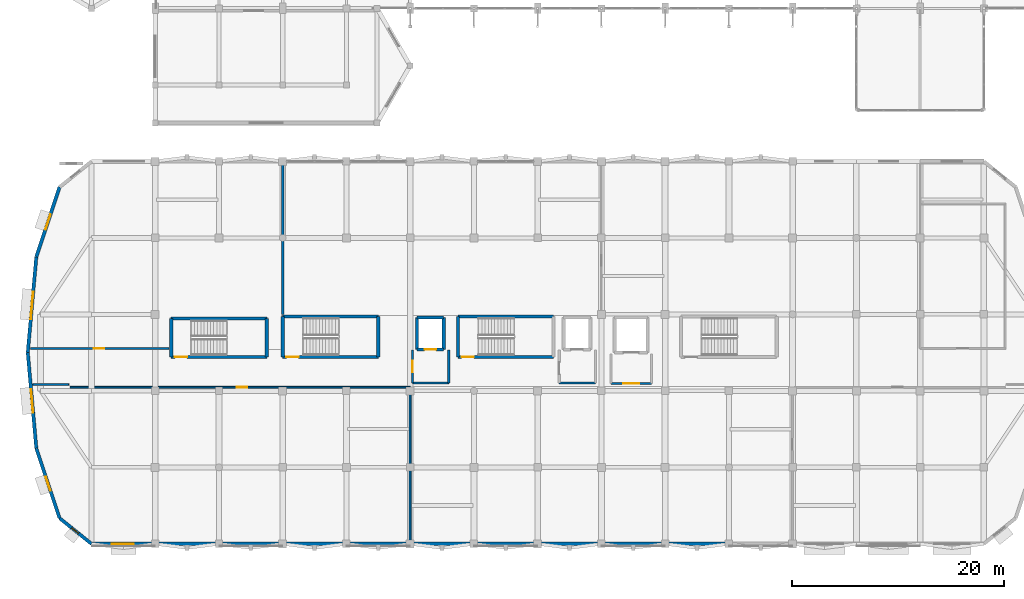
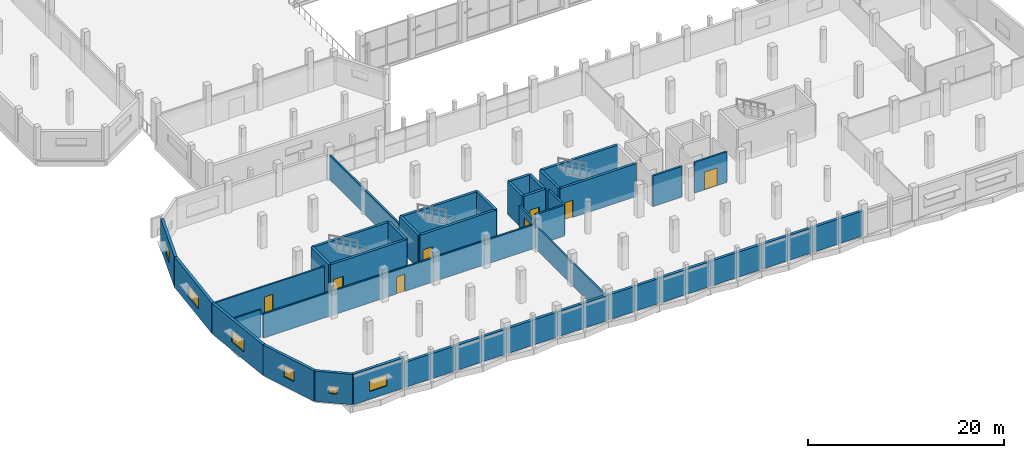
# One storey, part 105 of 127: 40 walls, 8 doors, 6 windows, 14 openings.
"""IFC4 building model written with IfcOpenShell, lengths in metres."""

from ifc_helpers import new_model, si_unit, direction, frame, frame_2d, origin, place, context, subcontext, project, spatial, rectangle, extrude, material, layer, layer_set, type_object, element, fill, save


model = new_model("IFC4")

# Units and contexts
model_context = context("Model", 3, precision=1e-05, world=origin(), true_north=direction((0.0, 1.0)))
body_context = subcontext(model_context, "Body", "Model", "MODEL_VIEW")
ifc_project = project(units=[si_unit("LENGTHUNIT", "METRE"), si_unit("AREAUNIT", "SQUARE_METRE"), si_unit("VOLUMEUNIT", "CUBIC_METRE"), si_unit("PLANEANGLEUNIT", "RADIAN"), si_unit("MASSUNIT", "GRAM", prefix="KILO")], contexts=[model_context])

# Site, building, storey
site_placement = place(None, origin())
site = spatial("IfcSite", under=ifc_project, at=site_placement, CompositionType="ELEMENT")
building_placement = place(site_placement, origin())
building = spatial("IfcBuilding", under=site, at=building_placement, Name="Dunvalen Ferry Terminal", CompositionType="ELEMENT")
storey_placement = place(building_placement, frame((0.0, 0.0, 5.760009765625)))
storey = spatial("IfcBuildingStorey", under=building, at=storey_placement, Name="L01", CompositionType="ELEMENT", Elevation=5.760009765625)

# Wall, opening, window
ifc_material_1 = material(Name="Precast concrete C40/50", Category="concrete")
ifc_layer_1 = layer(ifc_material_1, 0.320068359375, Name="Precast concrete C40/50")
ifc_layer_set_1 = layer_set([ifc_layer_1], Name="Precast concrete C40/50")
wall_type_1 = type_object("IfcWallType", Name="ENV-WL-SPN320", PredefinedType="SOLIDWALL", material=ifc_layer_set_1)
wall_1_placement = place(storey_placement, frame((6.0, 0.0, 0.0), z_axis=(0.0, 0.0, 1.0), x_axis=(1.0, 0.0, 0.0)))
wall_1 = element("IfcWall", 1, at=wall_1_placement, inside=storey, type_object=wall_type_1, Name="L01 Streamline Moderne Facade Wall 01.01", PredefinedType="SOLIDWALL", context=body_context, shape_type="SweptSolid", body=[
    extrude(rectangle(XDim=6.0, YDim=0.320068359375, at=frame_2d((3.0, 0.0))), origin(), (0.0, 0.0, 1.0), 3.780029296875),
])
opening_1_placement = place(wall_1_placement, frame((1.9248046875, 0.0, 0.949951171875)))
opening_1 = element("IfcOpeningElement", 2, at=opening_1_placement, cuts=wall_1, Name="Opening W-40", PredefinedType="OPENING", context=body_context, shape_type="SweptSolid", body=[
    extrude(rectangle(XDim=2.050048828125, YDim=1.39990234375, at=frame_2d((1.02490234375, 0.699951171875))), frame((0.0, 0.169921875, 0.0), z_axis=(0.0, -1.0, 0.0), x_axis=(1.0, 0.0, 0.0)), (0.0, 0.0, 1.0), 0.340087890625),
])
ifc_material_2 = material(Name="Thermally broken aluminium and double glazing", Category="aluminium")
window_type_1 = type_object("IfcWindowType", Name="ENV-WIN-RIB-40", PartitioningType="SINGLE_PANEL", PredefinedType="WINDOW", material=ifc_material_2)
window_1_placement = place(opening_1_placement, origin())
window_1 = element("IfcWindow", 3, at=window_1_placement, inside=storey, type_object=window_type_1, Name="L01 Streamline Ribbon Window 01.01", OverallHeight=1.39990234375, OverallWidth=2.050048828125, PartitioningType="SINGLE_PANEL", PredefinedType="WINDOW", context=body_context, shape_type="SweptSolid", body=[
    extrude(rectangle(XDim=2.050048828125, YDim=1.39990234375, at=frame_2d((1.02490234375, 0.699951171875))), frame((0.0, 0.030029296875, 0.0), z_axis=(0.0, -1.0, 0.0), x_axis=(1.0, 0.0, 0.0)), (0.0, 0.0, 1.0), 0.06005859375),
])
fill(opening_1, window_1)

# Walls
for number, where, z_axis, x_axis, name in (
    (4, (12.0, 0.0, 0.0), (0.0, 0.0, 1.0), (1.0, 0.0, 0.0), "L01 Streamline Moderne Facade Wall 01.02"),
    (5, (18.0, 0.0, 0.0), (0.0, 0.0, 1.0), (1.0, 0.0, 0.0), "L01 Streamline Moderne Facade Wall 01.03"),
    (6, (24.0, 0.0, 0.0), (0.0, 0.0, 1.0), (1.0, 0.0, 0.0), "L01 Streamline Moderne Facade Wall 01.04"),
    (7, (30.0, 0.0, 0.0), (0.0, 0.0, 1.0), (1.0, 0.0, 0.0), "L01 Streamline Moderne Facade Wall 01.05"),
    (8, (36.0, 0.0, 0.0), (0.0, 0.0, 1.0), (1.0, 0.0, 0.0), "L01 Streamline Moderne Facade Wall 01.06"),
    (9, (42.0, 0.0, 0.0), (0.0, 0.0, 1.0), (1.0, 0.0, 0.0), "L01 Streamline Moderne Facade Wall 01.07"),
    (10, (48.0, 0.0, 0.0), (0.0, 0.0, 1.0), (1.0, 0.0, 0.0), "L01 Streamline Moderne Facade Wall 01.08"),
    (11, (54.0, 0.0, 0.0), (0.0, 0.0, 1.0), (1.0, 0.0, 0.0), "L01 Streamline Moderne Facade Wall 01.09"),
    (12, (60.0, 0.0, 0.0), (0.0, 0.0, 1.0), (1.0, 0.0, 0.0), "L01 Streamline Moderne Facade Wall 01.10"),
):
    element("IfcWall", number, at=place(storey_placement, frame(where, z_axis=z_axis, x_axis=x_axis)), inside=storey, type_object=wall_type_1, Name=name, PredefinedType="SOLIDWALL", context=body_context, shape_type="SweptSolid", body=[
        extrude(rectangle(XDim=6.0, YDim=0.320068359375, at=frame_2d((3.0, 0.0))), origin(), (0.0, 0.0, 1.0), 3.110107421875),
    ])

# Wall, opening, window
wall_2_placement = place(storey_placement, frame((3.0, 33.58837890625, 0.0), z_axis=(0.0, 0.0, 1.0), x_axis=(-0.31624885857, -0.948676266939, 0.0)))
wall_2 = element("IfcWall", 13, at=wall_2_placement, inside=storey, type_object=wall_type_1, Name="L01 Streamline Moderne Facade Wall 10.01", PredefinedType="SOLIDWALL", context=body_context, shape_type="SweptSolid", body=[
    extrude(rectangle(XDim=6.94482421875, YDim=0.320068359375, at=frame_2d((3.472412109375, 0.0))), origin(), (0.0, 0.0, 1.0), 3.780029296875),
])
opening_2_placement = place(wall_2_placement, frame((2.722412109375, 0.0, 1.14990234375)))
opening_2 = element("IfcOpeningElement", 14, at=opening_2_placement, cuts=wall_2, Name="Opening W-44", PredefinedType="OPENING", context=body_context, shape_type="SweptSolid", body=[
    extrude(rectangle(XDim=1.5, YDim=1.5, at=frame_2d((0.75, 0.75))), frame((0.0, 0.169921875, 0.0), z_axis=(0.0, -1.0, 0.0), x_axis=(1.0, 0.0, 0.0)), (0.0, 0.0, 1.0), 0.340087890625),
])
window_type_2 = type_object("IfcWindowType", Name="ENV-WIN-PRT-44", PartitioningType="SINGLE_PANEL", PredefinedType="WINDOW", material=ifc_material_2)
window_2_placement = place(opening_2_placement, origin())
window_2 = element("IfcWindow", 15, at=window_2_placement, inside=storey, type_object=window_type_2, Name="L01 Streamline Ribbon Window 10.01", OverallHeight=1.5, OverallWidth=1.5, PartitioningType="SINGLE_PANEL", PredefinedType="WINDOW", context=body_context, shape_type="SweptSolid", body=[
    extrude(rectangle(XDim=1.5, YDim=1.5, at=frame_2d((0.75, 0.75))), frame((0.0, 0.030029296875, 0.0), z_axis=(0.0, -1.0, 0.0), x_axis=(1.0, 0.0, 0.0)), (0.0, 0.0, 1.0), 0.06005859375),
])
fill(opening_2, window_2)

wall_3_placement = place(storey_placement, frame((0.8037109375, 27.0, 0.0), z_axis=(0.0, 0.0, 1.0), x_axis=(-0.088947255406, -0.996036337568, 0.0)))
wall_3 = element("IfcWall", 16, at=wall_3_placement, inside=storey, type_object=wall_type_1, Name="L01 Streamline Moderne Facade Wall 11.01", PredefinedType="SOLIDWALL", context=body_context, shape_type="SweptSolid", body=[
    extrude(rectangle(XDim=9.035888671875, YDim=0.320068359375, at=frame_2d((4.51806640625, 0.0))), origin(), (0.0, 0.0, 1.0), 3.780029296875),
])
opening_3_placement = place(wall_3_placement, frame((3.268798828125, 0.0, 0.949951171875)))
opening_3 = element("IfcOpeningElement", 17, at=opening_3_placement, cuts=wall_3, Name="Opening W-05", PredefinedType="OPENING", context=body_context, shape_type="SweptSolid", body=[
    extrude(rectangle(XDim=2.60009765625, YDim=1.5, at=frame_2d((1.300048828125, 0.75))), frame((0.0, 0.169921875, 0.0), z_axis=(0.0, -1.0, 0.0), x_axis=(1.0, 0.0, 0.0)), (0.0, 0.0, 1.0), 0.340087890625),
])
window_type_3 = type_object("IfcWindowType", Name="ENV-WIN-RIB-05", PartitioningType="SINGLE_PANEL", PredefinedType="WINDOW", material=ifc_material_2)
window_3_placement = place(opening_3_placement, origin())
window_3 = element("IfcWindow", 18, at=window_3_placement, inside=storey, type_object=window_type_3, Name="L01 Streamline Ribbon Window 11.01", OverallHeight=1.5, OverallWidth=2.60009765625, PartitioningType="SINGLE_PANEL", PredefinedType="WINDOW", context=body_context, shape_type="SweptSolid", body=[
    extrude(rectangle(XDim=2.60009765625, YDim=1.5, at=frame_2d((1.300048828125, 0.75))), frame((0.0, 0.030029296875, 0.0), z_axis=(0.0, -1.0, 0.0), x_axis=(1.0, 0.0, 0.0)), (0.0, 0.0, 1.0), 0.06005859375),
])
fill(opening_3, window_3)

wall_4_placement = place(storey_placement, frame((0.0, 18.0, 0.0), z_axis=(0.0, 0.0, 1.0), x_axis=(0.088947255406, -0.996036337568, 0.0)))
wall_4 = element("IfcWall", 19, at=wall_4_placement, inside=storey, type_object=wall_type_1, Name="L01 Streamline Moderne Facade Wall 12.01", PredefinedType="SOLIDWALL", context=body_context, shape_type="SweptSolid", body=[
    extrude(rectangle(XDim=9.035888671875, YDim=0.320068359375, at=frame_2d((4.51806640625, 0.0))), origin(), (0.0, 0.0, 1.0), 3.780029296875),
])
opening_4_placement = place(wall_4_placement, frame((3.46875, 0.0, 0.949951171875)))
opening_4 = element("IfcOpeningElement", 20, at=opening_4_placement, cuts=wall_4, Name="Opening W-06", PredefinedType="OPENING", context=body_context, shape_type="SweptSolid", body=[
    extrude(rectangle(XDim=2.199951171875, YDim=1.5, at=frame_2d((1.10009765625, 0.75))), frame((0.0, 0.169921875, 0.0), z_axis=(0.0, -1.0, 0.0), x_axis=(1.0, 0.0, 0.0)), (0.0, 0.0, 1.0), 0.340087890625),
])
window_type_4 = type_object("IfcWindowType", Name="ENV-WIN-RIB-06", PartitioningType="SINGLE_PANEL", PredefinedType="WINDOW", material=ifc_material_2)
window_4_placement = place(opening_4_placement, origin())
window_4 = element("IfcWindow", 21, at=window_4_placement, inside=storey, type_object=window_type_4, Name="L01 Streamline Ribbon Window 12.01", OverallHeight=1.5, OverallWidth=2.199951171875, PartitioningType="SINGLE_PANEL", PredefinedType="WINDOW", context=body_context, shape_type="SweptSolid", body=[
    extrude(rectangle(XDim=2.199951171875, YDim=1.5, at=frame_2d((1.10009765625, 0.75))), frame((0.0, 0.030029296875, 0.0), z_axis=(0.0, -1.0, 0.0), x_axis=(1.0, 0.0, 0.0)), (0.0, 0.0, 1.0), 0.06005859375),
])
fill(opening_4, window_4)

wall_5_placement = place(storey_placement, frame((0.8037109375, 9.0, 0.0), z_axis=(0.0, 0.0, 1.0), x_axis=(0.31624885857, -0.948676266939, 0.0)))
wall_5 = element("IfcWall", 22, at=wall_5_placement, inside=storey, type_object=wall_type_1, Name="L01 Streamline Moderne Facade Wall 13.01", PredefinedType="SOLIDWALL", context=body_context, shape_type="SweptSolid", body=[
    extrude(rectangle(XDim=6.94482421875, YDim=0.320068359375, at=frame_2d((3.472412109375, 0.0))), origin(), (0.0, 0.0, 1.0), 3.780029296875),
])
opening_5_placement = place(wall_5_placement, frame((2.822509765625, 0.0, 1.14990234375)))
opening_5 = element("IfcOpeningElement", 23, at=opening_5_placement, cuts=wall_5, Name="Opening W-19", PredefinedType="OPENING", context=body_context, shape_type="SweptSolid", body=[
    extrude(rectangle(XDim=1.39990234375, YDim=1.39990234375, at=frame_2d((0.699951171875, 0.699951171875))), frame((0.0, 0.169921875, 0.0), z_axis=(0.0, -1.0, 0.0), x_axis=(1.0, 0.0, 0.0)), (0.0, 0.0, 1.0), 0.340087890625),
])
window_type_5 = type_object("IfcWindowType", Name="ENV-WIN-PRT-19", PartitioningType="SINGLE_PANEL", PredefinedType="WINDOW", material=ifc_material_2)
window_5_placement = place(opening_5_placement, origin())
window_5 = element("IfcWindow", 24, at=window_5_placement, inside=storey, type_object=window_type_5, Name="L01 Streamline Ribbon Window 13.01", OverallHeight=1.39990234375, OverallWidth=1.39990234375, PartitioningType="SINGLE_PANEL", PredefinedType="WINDOW", context=body_context, shape_type="SweptSolid", body=[
    extrude(rectangle(XDim=1.39990234375, YDim=1.39990234375, at=frame_2d((0.699951171875, 0.699951171875))), frame((0.0, 0.030029296875, 0.0), z_axis=(0.0, -1.0, 0.0), x_axis=(1.0, 0.0, 0.0)), (0.0, 0.0, 1.0), 0.06005859375),
])
fill(opening_5, window_5)

wall_6_placement = place(storey_placement, frame((3.0, 2.41162109375, 0.0), z_axis=(0.0, 0.0, 1.0), x_axis=(0.779393889884, -0.626534248395, 0.0)))
wall_6 = element("IfcWall", 25, at=wall_6_placement, inside=storey, type_object=wall_type_1, Name="L01 Streamline Moderne Facade Wall 14.01", PredefinedType="SOLIDWALL", context=body_context, shape_type="SweptSolid", body=[
    extrude(rectangle(XDim=3.84912109375, YDim=0.320068359375, at=frame_2d((1.924560546875, 0.0))), origin(), (0.0, 0.0, 1.0), 3.780029296875),
])
opening_6_placement = place(wall_6_placement, frame((1.4482421875, 0.0, 1.14990234375)))
opening_6 = element("IfcOpeningElement", 26, at=opening_6_placement, cuts=wall_6, Name="Opening W-20", PredefinedType="OPENING", context=body_context, shape_type="SweptSolid", body=[
    extrude(rectangle(XDim=0.85009765625, YDim=0.85009765625, at=frame_2d((0.425048828125, 0.425048828125))), frame((0.0, 0.169921875, 0.0), z_axis=(0.0, -1.0, 0.0), x_axis=(1.0, 0.0, 0.0)), (0.0, 0.0, 1.0), 0.340087890625),
])
window_type_6 = type_object("IfcWindowType", Name="ENV-WIN-PRT-20", PartitioningType="SINGLE_PANEL", PredefinedType="WINDOW", material=ifc_material_2)
window_6_placement = place(opening_6_placement, origin())
window_6 = element("IfcWindow", 27, at=window_6_placement, inside=storey, type_object=window_type_6, Name="L01 Streamline Ribbon Window 14.01", OverallHeight=0.85009765625, OverallWidth=0.85009765625, PartitioningType="SINGLE_PANEL", PredefinedType="WINDOW", context=body_context, shape_type="SweptSolid", body=[
    extrude(rectangle(XDim=0.85009765625, YDim=0.85009765625, at=frame_2d((0.425048828125, 0.425048828125))), frame((0.0, 0.030029296875, 0.0), z_axis=(0.0, -1.0, 0.0), x_axis=(1.0, 0.0, 0.0)), (0.0, 0.0, 1.0), 0.06005859375),
])
fill(opening_6, window_6)

# Wall, opening, door
ifc_material_3 = material(Name="Autoclaved aerated concrete blockwork", Category="masonry")
ifc_layer_2 = layer(ifc_material_3, 0.199951171875, Name="Autoclaved aerated concrete blockwork")
ifc_layer_set_2 = layer_set([ifc_layer_2], Name="Autoclaved aerated concrete blockwork")
wall_type_2 = type_object("IfcWallType", Name="INT-WL-CMP200", PredefinedType="PARTITIONING", material=ifc_layer_set_2)
wall_7_placement = place(storey_placement, frame((54.889892578125, 15.090087890625, 0.0), z_axis=(0.0, 0.0, 1.0), x_axis=(1.0, 0.0, 0.0)))
wall_7 = element("IfcWall", 28, at=wall_7_placement, inside=storey, type_object=wall_type_2, Name="L01 L01 Lift Lobby LG-01 Partition 2", PredefinedType="PARTITIONING", context=body_context, shape_type="SweptSolid", body=[
    extrude(rectangle(XDim=3.820068359375, YDim=0.199951171875, at=frame_2d((1.91015625, 0.0))), origin(), (0.0, 0.0, 1.0), 3.820068359375),
])
opening_7_placement = place(wall_7_placement, frame((1.159912109375, 0.0, 0.0)))
opening_7 = element("IfcOpeningElement", 29, at=opening_7_placement, cuts=wall_7, Name="Opening ID-04", PredefinedType="OPENING", context=body_context, shape_type="SweptSolid", body=[
    extrude(rectangle(XDim=1.5, YDim=2.199951171875, at=frame_2d((0.75, 1.10009765625))), frame((0.0, 0.10986328125, 0.0), z_axis=(0.0, -1.0, 0.0), x_axis=(1.0, 0.0, 0.0)), (0.0, 0.0, 1.0), 0.219970703125),
])
ifc_material_4 = material(Name="Anodised aluminium glazed fire door", Category="aluminium")
door_type_1 = type_object("IfcDoorType", Name="INT-DR-LOB-1500", OperationType="DOUBLE_SWING_LEFT", PredefinedType="DOOR", material=ifc_material_4)
door_1_placement = place(opening_7_placement, origin())
door_1 = element("IfcDoor", 30, at=door_1_placement, inside=storey, type_object=door_type_1, Name="L01 Lift Lobby LG-01 Door", OperationType="DOUBLE_SWING_LEFT", OverallHeight=2.199951171875, OverallWidth=1.5, PredefinedType="DOOR", context=body_context, shape_type="SweptSolid", body=[
    extrude(rectangle(XDim=1.5, YDim=2.199951171875, at=frame_2d((0.75, 1.10009765625))), frame((0.0, 0.02490234375, 0.0), z_axis=(0.0, -1.0, 0.0), x_axis=(1.0, 0.0, 0.0)), (0.0, 0.0, 1.0), 0.050048828125),
])
fill(opening_7, door_1)

# Wall
wall_8_placement = place(storey_placement, frame((24.0, 21.610107421875, 0.0), z_axis=(0.0, 0.0, 1.0), x_axis=(0.0, 1.0, 0.0)))
element("IfcWall", 31, at=wall_8_placement, inside=storey, type_object=wall_type_2, Name="L01 L01 Marine Safety Equipment Store Partition 7", PredefinedType="PARTITIONING", context=body_context, shape_type="SweptSolid", body=[
    extrude(rectangle(XDim=14.169921875, YDim=0.199951171875, at=frame_2d((7.0849609375, 0.0))), origin(), (0.0, 0.0, 1.0), 3.06005859375),
])

# Wall, opening, door
wall_9_placement = place(storey_placement, frame((0.256591796875, 18.39990234375, 0.0), z_axis=(0.0, 0.0, 1.0), x_axis=(1.0, 0.0, 0.0)))
wall_9 = element("IfcWall", 32, at=wall_9_placement, inside=storey, type_object=wall_type_2, Name="L01 L01 Marine Safety Equipment Store Partition 12", PredefinedType="PARTITIONING", context=body_context, shape_type="SweptSolid", body=[
    extrude(rectangle(XDim=13.033447265625, YDim=0.199951171875, at=frame_2d((6.5166015625, 0.0))), origin(), (0.0, 0.0, 1.0), 3.43994140625),
])
opening_8_placement = place(wall_9_placement, frame((5.94091796875, 0.0, 0.0)))
opening_8 = element("IfcOpeningElement", 33, at=opening_8_placement, cuts=wall_9, Name="Opening ID-10", PredefinedType="OPENING", context=body_context, shape_type="SweptSolid", body=[
    extrude(rectangle(XDim=1.0, YDim=2.1201171875, at=frame_2d((0.5, 1.06005859375))), frame((0.0, 0.10986328125, 0.0), z_axis=(0.0, -1.0, 0.0), x_axis=(1.0, 0.0, 0.0)), (0.0, 0.0, 1.0), 0.219970703125),
])
ifc_material_5 = material(Name="FSC European oak acoustic fire door", Category="wood")
door_type_2 = type_object("IfcDoorType", Name="INT-DR-OFF-1000", OperationType="NOTDEFINED", PredefinedType="DOOR", material=ifc_material_5)
door_2_placement = place(opening_8_placement, origin())
door_2 = element("IfcDoor", 34, at=door_2_placement, inside=storey, type_object=door_type_2, Name="L01 Marine Safety Equipment Store Door", OperationType="SINGLE_SWING_LEFT", OverallHeight=2.1201171875, OverallWidth=1.0, PredefinedType="DOOR", context=body_context, shape_type="SweptSolid", body=[
    extrude(rectangle(XDim=1.0, YDim=2.1201171875, at=frame_2d((0.5, 1.06005859375))), frame((0.0, 0.02490234375, 0.0), z_axis=(0.0, -1.0, 0.0), x_axis=(1.0, 0.0, 0.0)), (0.0, 0.0, 1.0), 0.050048828125),
])
fill(opening_8, door_2)

ifc_material_6 = material(Name="Concrete C35/45", Category="concrete")
ifc_layer_3 = layer(ifc_material_6, 0.219970703125, Name="Concrete C35/45")
ifc_layer_set_3 = layer_set([ifc_layer_3], Name="Concrete C35/45")
wall_type_3 = type_object("IfcWallType", Name="INT-WL-CMP220", PredefinedType="SOLIDWALL", material=ifc_layer_set_3)
wall_10_placement = place(storey_placement, frame((36.219970703125, 18.25, 0.0), z_axis=(0.0, 0.0, 1.0), x_axis=(0.0, -1.0, 0.0)))
wall_10 = element("IfcWall", 35, at=wall_10_placement, inside=storey, type_object=wall_type_3, Name="L01 L01 Firefighting Lift Lobby LF-01 Partition 2", PredefinedType="SOLIDWALL", context=body_context, shape_type="SweptSolid", body=[
    extrude(rectangle(XDim=3.110107421875, YDim=0.219970703125, at=frame_2d((1.55517578125, 0.0))), origin(), (0.0, 0.0, 1.0), 3.06005859375),
])
opening_9_placement = place(wall_10_placement, frame((1.0048828125, 0.0, 0.0)))
opening_9 = element("IfcOpeningElement", 36, at=opening_9_placement, cuts=wall_10, Name="Opening ID-03", PredefinedType="OPENING", context=body_context, shape_type="SweptSolid", body=[
    extrude(rectangle(XDim=1.10009765625, YDim=2.14990234375, at=frame_2d((0.550048828125, 1.074951171875))), frame((0.0, 0.1201171875, 0.0), z_axis=(0.0, -1.0, 0.0), x_axis=(1.0, 0.0, 0.0)), (0.0, 0.0, 1.0), 0.239990234375),
])
ifc_material_7 = material(Name="Powder-coated steel fire door", Category="steel")
door_type_3 = type_object("IfcDoorType", Name="INT-DR-FFL-1100", OperationType="NOTDEFINED", PredefinedType="DOOR", material=ifc_material_7)
door_3_placement = place(opening_9_placement, origin())
door_3 = element("IfcDoor", 37, at=door_3_placement, inside=storey, type_object=door_type_3, Name="L01 Firefighting Lift Lobby LF-01 Door", OperationType="SINGLE_SWING_RIGHT", OverallHeight=2.14990234375, OverallWidth=1.10009765625, PredefinedType="DOOR", context=body_context, shape_type="SweptSolid", body=[
    extrude(rectangle(XDim=1.10009765625, YDim=2.14990234375, at=frame_2d((0.550048828125, 1.074951171875))), frame((0.0, 0.02490234375, 0.0), z_axis=(0.0, -1.0, 0.0), x_axis=(1.0, 0.0, 0.0)), (0.0, 0.0, 1.0), 0.050048828125),
])
fill(opening_9, door_3)

# Walls
wall_11_placement = place(storey_placement, frame((36.219970703125, 15.139892578125, 0.0), z_axis=(0.0, 0.0, 1.0), x_axis=(1.0, 0.0, 0.0)))
element("IfcWall", 38, at=wall_11_placement, inside=storey, type_object=wall_type_3, Name="L01 L01 Firefighting Lift Lobby LF-01 Partition 3", PredefinedType="SOLIDWALL", context=body_context, shape_type="SweptSolid", body=[
    extrude(rectangle(XDim=3.419921875, YDim=0.219970703125, at=frame_2d((1.7099609375, 0.0))), origin(), (0.0, 0.0, 1.0), 3.820068359375),
])
wall_12_placement = place(storey_placement, frame((39.639892578125, 15.139892578125, 0.0), z_axis=(0.0, 0.0, 1.0), x_axis=(0.0, 1.0, 0.0)))
element("IfcWall", 39, at=wall_12_placement, inside=storey, type_object=wall_type_3, Name="L01 L01 Firefighting Lift Lobby LF-01 Partition 4", PredefinedType="SOLIDWALL", context=body_context, shape_type="SweptSolid", body=[
    extrude(rectangle(XDim=3.110107421875, YDim=0.219970703125, at=frame_2d((1.55517578125, 0.0))), origin(), (0.0, 0.0, 1.0), 3.820068359375),
])
wall_13_placement = place(storey_placement, frame((50.02001953125, 15.139892578125, 0.0), z_axis=(0.0, 0.0, 1.0), x_axis=(1.0, 0.0, 0.0)))
element("IfcWall", 40, at=wall_13_placement, inside=storey, type_object=wall_type_3, Name="L01 L01 Firefighting Lift Lobby LF-02 Partition 3", PredefinedType="SOLIDWALL", context=body_context, shape_type="SweptSolid", body=[
    extrude(rectangle(XDim=3.419921875, YDim=0.219970703125, at=frame_2d((1.7099609375, 0.0))), origin(), (0.0, 0.0, 1.0), 3.820068359375),
])
ifc_material_8 = material(Name="Twin-frame acoustic gypsum partition", Category="gypsum")
ifc_layer_4 = layer(ifc_material_8, 0.18505859375, Name="Twin-frame acoustic gypsum partition")
ifc_layer_set_4 = layer_set([ifc_layer_4], Name="Twin-frame acoustic gypsum partition")
wall_type_4 = type_object("IfcWallType", Name="INT-WL-PRT185", PredefinedType="PARTITIONING", material=ifc_layer_set_4)
wall_14_placement = place(storey_placement, frame((36.0, 0.219970703125, 0.0), z_axis=(0.0, 0.0, 1.0), x_axis=(0.0, 1.0, 0.0)))
element("IfcWall", 41, at=wall_14_placement, inside=storey, type_object=wall_type_4, Name="L01 L01 Ferry Crew Welfare and Rest Lounge Partition 1", PredefinedType="PARTITIONING", context=body_context, shape_type="SweptSolid", body=[
    extrude(rectangle(XDim=14.52001953125, YDim=0.18505859375, at=frame_2d((7.260009765625, 0.0))), origin(), (0.0, 0.0, 1.0), 2.860107421875),
])

# Wall, opening, door
wall_15_placement = place(storey_placement, frame((36.0, 14.739990234375, 0.0), z_axis=(0.0, 0.0, 1.0), x_axis=(-1.0, 0.0, 0.0)))
wall_15 = element("IfcWall", 42, at=wall_15_placement, inside=storey, type_object=wall_type_4, Name="L01 L01 Ferry Crew Welfare and Rest Lounge Partition 2", PredefinedType="PARTITIONING", context=body_context, shape_type="SweptSolid", body=[
    extrude(rectangle(XDim=32.0, YDim=0.18505859375, at=frame_2d((16.0, 0.0))), origin(), (0.0, 0.0, 1.0), 3.010009765625),
])
opening_10_placement = place(wall_15_placement, frame((15.35986328125, 0.0, 0.0)))
opening_10 = element("IfcOpeningElement", 43, at=opening_10_placement, cuts=wall_15, Name="Opening ID-11", PredefinedType="OPENING", context=body_context, shape_type="SweptSolid", body=[
    extrude(rectangle(XDim=0.97998046875, YDim=2.1201171875, at=frame_2d((0.489990234375, 1.06005859375))), frame((0.0, 0.1025390625, 0.0), z_axis=(0.0, -1.0, 0.0), x_axis=(1.0, 0.0, 0.0)), (0.0, 0.0, 1.0), 0.205078125),
])
door_type_4 = type_object("IfcDoorType", Name="INT-DR-OFF-0980", OperationType="NOTDEFINED", PredefinedType="DOOR", material=ifc_material_5)
door_4_placement = place(opening_10_placement, origin())
door_4 = element("IfcDoor", 44, at=door_4_placement, inside=storey, type_object=door_type_4, Name="L01 Ferry Crew Welfare and Rest Lounge Door", OperationType="SINGLE_SWING_RIGHT", OverallHeight=2.1201171875, OverallWidth=0.97998046875, PredefinedType="DOOR", context=body_context, shape_type="SweptSolid", body=[
    extrude(rectangle(XDim=0.97998046875, YDim=2.1201171875, at=frame_2d((0.489990234375, 1.06005859375))), frame((0.0, 0.02490234375, 0.0), z_axis=(0.0, -1.0, 0.0), x_axis=(1.0, 0.0, 0.0)), (0.0, 0.0, 1.0), 0.050048828125),
])
fill(opening_10, door_4)

# Walls
wall_16_placement = place(storey_placement, frame((3.840087890625, 15.0, 0.0), z_axis=(0.0, 0.0, 1.0), x_axis=(-1.0, 0.0, 0.0)))
element("IfcWall", 45, at=wall_16_placement, inside=storey, type_object=wall_type_4, Name="L01 L01 Ferry Crew Welfare and Rest Lounge Partition 5", PredefinedType="PARTITIONING", context=body_context, shape_type="SweptSolid", body=[
    extrude(rectangle(XDim=3.351318359375, YDim=0.18505859375, at=frame_2d((1.67578125, 0.0))), origin(), (0.0, 0.0, 1.0), 3.43994140625),
])
ifc_material_9 = material(Name="Concrete C40/50", Category="concrete")
ifc_layer_5 = layer(ifc_material_9, 0.300048828125, Name="Concrete C40/50")
ifc_layer_set_5 = layer_set([ifc_layer_5], Name="Concrete C40/50")
wall_type_5 = type_object("IfcWallType", Name="STR-WL-SHR300", PredefinedType="SHEAR", material=ifc_layer_set_5)
for number, where, z_axis, x_axis, name in (
    (46, (24.0, 17.60009765625, 0.0), (0.0, 0.0, 1.0), (0.0, 1.0, 0.0), "L01 ST1 Core West Shear Wall"),
    (47, (33.0, 17.60009765625, 0.0), (0.0, 0.0, 1.0), (0.0, 1.0, 0.0), "L01 ST1 Core East Shear Wall"),
    (48, (40.5, 17.60009765625, 0.0), (0.0, 0.0, 1.0), (0.0, 1.0, 0.0), "L01 ST2 Core West Shear Wall"),
):
    element("IfcWall", number, at=place(storey_placement, frame(where, z_axis=z_axis, x_axis=x_axis)), inside=storey, type_object=wall_type_5, Name=name, PredefinedType="SHEAR", context=body_context, shape_type="SweptSolid", body=[
        extrude(rectangle(XDim=3.7998046875, YDim=0.300048828125, at=frame_2d((1.89990234375, 0.0))), origin(), (0.0, 0.0, 1.0), 4.080078125),
    ])
for number, where, z_axis, x_axis, name in (
    (49, (13.5, 17.60009765625, 0.0), (0.0, 0.0, 1.0), (0.0, 1.0, 0.0), "L01 ST5 Core West Shear Wall"),
    (50, (22.5, 17.60009765625, 0.0), (0.0, 0.0, 1.0), (0.0, 1.0, 0.0), "L01 ST5 Core East Shear Wall"),
):
    element("IfcWall", number, at=place(storey_placement, frame(where, z_axis=z_axis, x_axis=x_axis)), inside=storey, type_object=wall_type_5, Name=name, PredefinedType="SHEAR", context=body_context, shape_type="SweptSolid", body=[
        extrude(rectangle(XDim=3.599853515625, YDim=0.300048828125, at=frame_2d((1.7998046875, 0.0))), origin(), (0.0, 0.0, 1.0), 4.080078125),
    ])
wall_17_placement = place(storey_placement, frame((24.0, 21.39990234375, 0.0), z_axis=(0.0, 0.0, 1.0), x_axis=(1.0, 0.0, 0.0)))
element("IfcWall", 51, at=wall_17_placement, inside=storey, type_object=wall_type_5, Name="L01 ST1 Core North Shear Wall", PredefinedType="SHEAR", context=body_context, shape_type="SweptSolid", body=[
    extrude(rectangle(XDim=9.0, YDim=0.300048828125, at=frame_2d((4.5, 0.0))), origin(), (0.0, 0.0, 1.0), 4.080078125),
])

# Wall, opening, door
wall_18_placement = place(storey_placement, frame((24.0, 17.60009765625, 0.0), z_axis=(0.0, 0.0, 1.0), x_axis=(1.0, 0.0, 0.0)))
wall_18 = element("IfcWall", 52, at=wall_18_placement, inside=storey, type_object=wall_type_5, Name="L01 ST1 Core South Shear Wall", PredefinedType="SHEAR", context=body_context, shape_type="SweptSolid", body=[
    extrude(rectangle(XDim=9.0, YDim=0.300048828125, at=frame_2d((4.5, 0.0))), origin(), (0.0, 0.0, 1.0), 4.080078125),
])
opening_11_placement = place(wall_18_placement, frame((0.35009765625, 0.0, 0.0)))
opening_11 = element("IfcOpeningElement", 53, at=opening_11_placement, cuts=wall_18, Name="Opening ID-02", PredefinedType="OPENING", context=body_context, shape_type="SweptSolid", body=[
    extrude(rectangle(XDim=1.14990234375, YDim=2.14990234375, at=frame_2d((0.574951171875, 1.074951171875))), frame((0.0, 0.16015625, 0.0), z_axis=(0.0, -1.0, 0.0), x_axis=(1.0, 0.0, 0.0)), (0.0, 0.0, 1.0), 0.320068359375),
])
door_type_5 = type_object("IfcDoorType", Name="INT-DR-STR-1150", OperationType="NOTDEFINED", PredefinedType="DOOR", material=ifc_material_7)
door_5_placement = place(opening_11_placement, frame((1.14990234375, 0.0, 0.0), z_axis=(0.0, 0.0, 1.0), x_axis=(-1.0, 0.0, 0.0)))
door_5 = element("IfcDoor", 54, at=door_5_placement, inside=storey, type_object=door_type_5, Name="L01 ST1 Escape Stair Fire Door", OperationType="SINGLE_SWING_LEFT", OverallHeight=2.14990234375, OverallWidth=1.14990234375, PredefinedType="DOOR", context=body_context, shape_type="SweptSolid", body=[
    extrude(rectangle(XDim=1.14990234375, YDim=2.14990234375, at=frame_2d((0.574951171875, 1.074951171875))), frame((0.0, 0.02490234375, 0.0), z_axis=(0.0, -1.0, 0.0), x_axis=(1.0, 0.0, 0.0)), (0.0, 0.0, 1.0), 0.050048828125),
])
fill(opening_11, door_5)

# Wall
wall_19_placement = place(storey_placement, frame((40.5, 21.39990234375, 0.0), z_axis=(0.0, 0.0, 1.0), x_axis=(1.0, 0.0, 0.0)))
element("IfcWall", 55, at=wall_19_placement, inside=storey, type_object=wall_type_5, Name="L01 ST2 Core North Shear Wall", PredefinedType="SHEAR", context=body_context, shape_type="SweptSolid", body=[
    extrude(rectangle(XDim=9.0, YDim=0.300048828125, at=frame_2d((4.5, 0.0))), origin(), (0.0, 0.0, 1.0), 4.080078125),
])

# Wall, opening, door
wall_20_placement = place(storey_placement, frame((40.5, 17.60009765625, 0.0), z_axis=(0.0, 0.0, 1.0), x_axis=(1.0, 0.0, 0.0)))
wall_20 = element("IfcWall", 56, at=wall_20_placement, inside=storey, type_object=wall_type_5, Name="L01 ST2 Core South Shear Wall", PredefinedType="SHEAR", context=body_context, shape_type="SweptSolid", body=[
    extrude(rectangle(XDim=9.0, YDim=0.300048828125, at=frame_2d((4.5, 0.0))), origin(), (0.0, 0.0, 1.0), 4.080078125),
])
opening_12_placement = place(wall_20_placement, frame((0.35009765625, 0.0, 0.0)))
opening_12 = element("IfcOpeningElement", 57, at=opening_12_placement, cuts=wall_20, Name="Opening ID-02", PredefinedType="OPENING", context=body_context, shape_type="SweptSolid", body=[
    extrude(rectangle(XDim=1.14990234375, YDim=2.14990234375, at=frame_2d((0.574951171875, 1.074951171875))), frame((0.0, 0.16015625, 0.0), z_axis=(0.0, -1.0, 0.0), x_axis=(1.0, 0.0, 0.0)), (0.0, 0.0, 1.0), 0.320068359375),
])
door_6_placement = place(opening_12_placement, frame((1.14990234375, 0.0, 0.0), z_axis=(0.0, 0.0, 1.0), x_axis=(-1.0, 0.0, 0.0)))
door_6 = element("IfcDoor", 58, at=door_6_placement, inside=storey, type_object=door_type_5, Name="L01 ST2 Escape Stair Fire Door", OperationType="SINGLE_SWING_LEFT", OverallHeight=2.14990234375, OverallWidth=1.14990234375, PredefinedType="DOOR", context=body_context, shape_type="SweptSolid", body=[
    extrude(rectangle(XDim=1.14990234375, YDim=2.14990234375, at=frame_2d((0.574951171875, 1.074951171875))), frame((0.0, 0.02490234375, 0.0), z_axis=(0.0, -1.0, 0.0), x_axis=(1.0, 0.0, 0.0)), (0.0, 0.0, 1.0), 0.050048828125),
])
fill(opening_12, door_6)

# Wall
wall_21_placement = place(storey_placement, frame((13.5, 21.199951171875, 0.0), z_axis=(0.0, 0.0, 1.0), x_axis=(1.0, 0.0, 0.0)))
element("IfcWall", 59, at=wall_21_placement, inside=storey, type_object=wall_type_5, Name="L01 ST5 Core North Shear Wall", PredefinedType="SHEAR", context=body_context, shape_type="SweptSolid", body=[
    extrude(rectangle(XDim=9.0, YDim=0.300048828125, at=frame_2d((4.5, 0.0))), origin(), (0.0, 0.0, 1.0), 4.080078125),
])

# Wall, opening, door
wall_22_placement = place(storey_placement, frame((13.5, 17.60009765625, 0.0), z_axis=(0.0, 0.0, 1.0), x_axis=(1.0, 0.0, 0.0)))
wall_22 = element("IfcWall", 60, at=wall_22_placement, inside=storey, type_object=wall_type_5, Name="L01 ST5 Core South Shear Wall", PredefinedType="SHEAR", context=body_context, shape_type="SweptSolid", body=[
    extrude(rectangle(XDim=9.0, YDim=0.300048828125, at=frame_2d((4.5, 0.0))), origin(), (0.0, 0.0, 1.0), 4.080078125),
])
opening_13_placement = place(wall_22_placement, frame((0.35009765625, 0.0, 0.0)))
opening_13 = element("IfcOpeningElement", 61, at=opening_13_placement, cuts=wall_22, Name="Opening ID-02", PredefinedType="OPENING", context=body_context, shape_type="SweptSolid", body=[
    extrude(rectangle(XDim=1.14990234375, YDim=2.14990234375, at=frame_2d((0.574951171875, 1.074951171875))), frame((0.0, 0.16015625, 0.0), z_axis=(0.0, -1.0, 0.0), x_axis=(1.0, 0.0, 0.0)), (0.0, 0.0, 1.0), 0.320068359375),
])
door_7_placement = place(opening_13_placement, frame((1.14990234375, 0.0, 0.0), z_axis=(0.0, 0.0, 1.0), x_axis=(-1.0, 0.0, 0.0)))
door_7 = element("IfcDoor", 62, at=door_7_placement, inside=storey, type_object=door_type_5, Name="L01 ST5 Escape Stair Fire Door", OperationType="SINGLE_SWING_RIGHT", OverallHeight=2.14990234375, OverallWidth=1.14990234375, PredefinedType="DOOR", context=body_context, shape_type="SweptSolid", body=[
    extrude(rectangle(XDim=1.14990234375, YDim=2.14990234375, at=frame_2d((0.574951171875, 1.074951171875))), frame((0.0, 0.02490234375, 0.0), z_axis=(0.0, -1.0, 0.0), x_axis=(1.0, 0.0, 0.0)), (0.0, 0.0, 1.0), 0.050048828125),
])
fill(opening_13, door_7)

wall_23_placement = place(storey_placement, frame((36.64990234375, 18.300048828125, 0.0), z_axis=(0.0, 0.0, 1.0), x_axis=(1.0, 0.0, 0.0)))
wall_23 = element("IfcWall", 63, at=wall_23_placement, inside=storey, type_object=wall_type_5, Name="L01 LF-01 Lift Shaft S Wall", PredefinedType="SHEAR", context=body_context, shape_type="SweptSolid", body=[
    extrude(rectangle(XDim=2.5, YDim=0.300048828125, at=frame_2d((1.25, 0.0))), origin(), (0.0, 0.0, 1.0), 4.080078125),
])
opening_14_placement = place(wall_23_placement, frame((0.699951171875, 0.0, 0.0)))
opening_14 = element("IfcOpeningElement", 64, at=opening_14_placement, cuts=wall_23, Name="Opening LD-01", PredefinedType="OPENING", context=body_context, shape_type="SweptSolid", body=[
    extrude(rectangle(XDim=1.10009765625, YDim=2.10009765625, at=frame_2d((0.550048828125, 1.050048828125))), frame((0.0, 0.16015625, 0.0), z_axis=(0.0, -1.0, 0.0), x_axis=(1.0, 0.0, 0.0)), (0.0, 0.0, 1.0), 0.320068359375),
])
ifc_material_10 = material(Name="Brushed 316 stainless steel", Category="steel")
door_type_6 = type_object("IfcDoorType", Name="INT-DR-LFT-1100", OperationType="SLIDING_TO_LEFT", PredefinedType="DOOR", material=ifc_material_10)
door_8_placement = place(opening_14_placement, origin())
door_8 = element("IfcDoor", 65, at=door_8_placement, inside=storey, type_object=door_type_6, Name="L01 LF-01 Lift Sliding Landing Door", OperationType="SLIDING_TO_LEFT", OverallHeight=2.10009765625, OverallWidth=1.10009765625, PredefinedType="DOOR", context=body_context, shape_type="SweptSolid", body=[
    extrude(rectangle(XDim=1.10009765625, YDim=2.10009765625, at=frame_2d((0.550048828125, 1.050048828125))), frame((0.0, 0.02490234375, 0.0), z_axis=(0.0, -1.0, 0.0), x_axis=(1.0, 0.0, 0.0)), (0.0, 0.0, 1.0), 0.050048828125),
])
fill(opening_14, door_8)

# Walls
wall_24_placement = place(storey_placement, frame((36.64990234375, 21.300048828125, 0.0), z_axis=(0.0, 0.0, 1.0), x_axis=(1.0, 0.0, 0.0)))
element("IfcWall", 66, at=wall_24_placement, inside=storey, type_object=wall_type_5, Name="L01 LF-01 Lift Shaft N Wall", PredefinedType="SHEAR", context=body_context, shape_type="SweptSolid", body=[
    extrude(rectangle(XDim=2.5, YDim=0.300048828125, at=frame_2d((1.25, 0.0))), origin(), (0.0, 0.0, 1.0), 4.080078125),
])
for number, where, z_axis, x_axis, name in (
    (67, (36.64990234375, 18.300048828125, 0.0), (0.0, 0.0, 1.0), (0.0, 1.0, 0.0), "L01 LF-01 Lift Shaft W Wall"),
    (68, (39.14990234375, 18.300048828125, 0.0), (0.0, 0.0, 1.0), (0.0, 1.0, 0.0), "L01 LF-01 Lift Shaft E Wall"),
):
    element("IfcWall", number, at=place(storey_placement, frame(where, z_axis=z_axis, x_axis=x_axis)), inside=storey, type_object=wall_type_5, Name=name, PredefinedType="SHEAR", context=body_context, shape_type="SweptSolid", body=[
        extrude(rectangle(XDim=3.0, YDim=0.300048828125, at=frame_2d((1.5, 0.0))), origin(), (0.0, 0.0, 1.0), 4.080078125),
    ])

save(model, "model.ifc")
